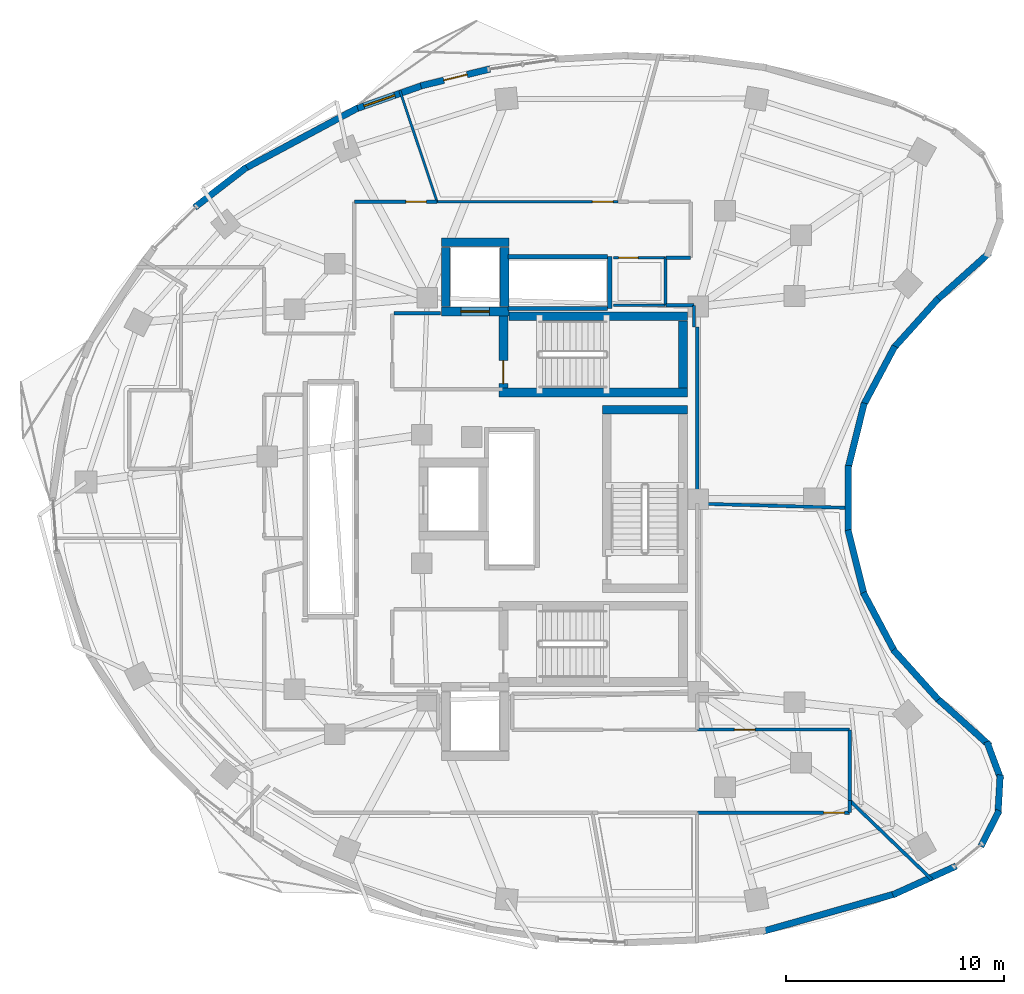
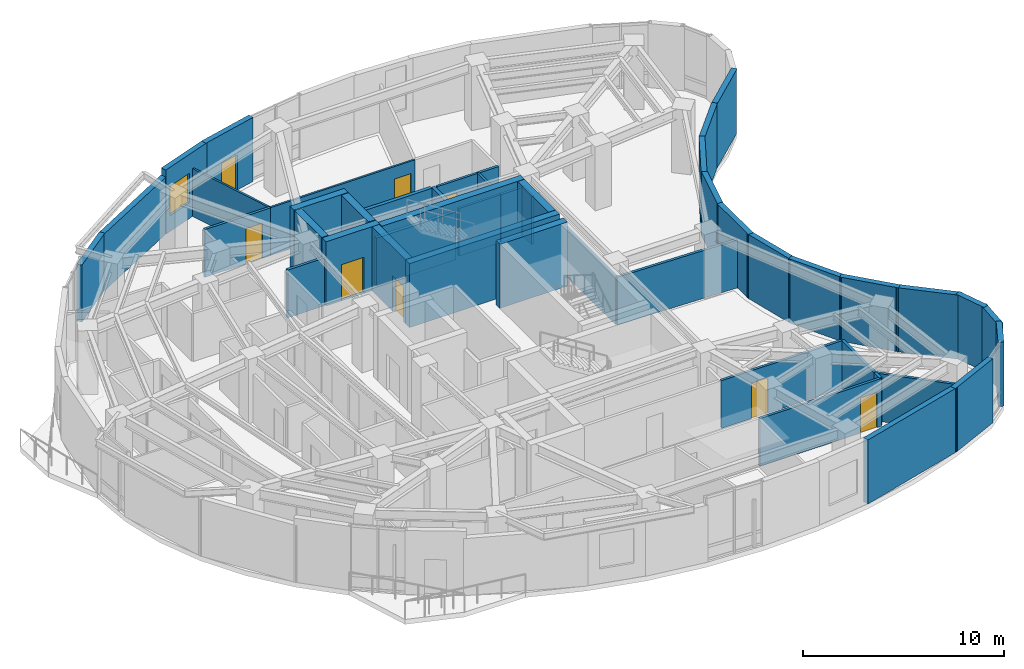
# One storey, part 9 of 13: 47 walls, 8 doors, 1 window, 9 openings.
"""IFC4 building model written with IfcOpenShell, lengths in metres."""

from ifc_helpers import new_model, si_unit, direction, frame, frame_2d, origin, place, context, subcontext, project, spatial, rectangle, extrude, material, layer, layer_set, type_object, element, fill, save


model = new_model("IFC4")

# Units and contexts
model_context = context("Model", 3, precision=1e-05, world=origin(), true_north=direction((0.0, 1.0)))
body_context = subcontext(model_context, "Body", "Model", "MODEL_VIEW")
ifc_project = project(units=[si_unit("LENGTHUNIT", "METRE"), si_unit("AREAUNIT", "SQUARE_METRE"), si_unit("VOLUMEUNIT", "CUBIC_METRE"), si_unit("PLANEANGLEUNIT", "RADIAN"), si_unit("MASSUNIT", "GRAM", prefix="KILO")], contexts=[model_context])

# Site, building, storey
site_placement = place(None, origin())
site = spatial("IfcSite", under=ifc_project, at=site_placement, CompositionType="ELEMENT")
building_placement = place(site_placement, origin())
building = spatial("IfcBuilding", under=site, at=building_placement, Name="Korentha Bioscience Tower", CompositionType="ELEMENT")
storey_placement = place(building_placement, frame((0.0, 0.0, 154.199951171875)))
storey = spatial("IfcBuildingStorey", under=building, at=storey_placement, Name="L35", CompositionType="ELEMENT", Elevation=154.199951171875)

# Wall, opening, door
ifc_material_1 = material(Name="Double-Stud Acoustic Gypsum", Category="gypsum")
ifc_layer_1 = layer(ifc_material_1, 0.14990234375, Name="Double-Stud Acoustic Gypsum")
ifc_layer_set_1 = layer_set([ifc_layer_1], Name="Double-Stud Acoustic Gypsum (IW-L150)")
wall_type_1 = type_object("IfcWallType", Name="Acoustic Laboratory Partition Wall 150", PredefinedType="PARTITIONING", material=ifc_layer_set_1)
wall_1_placement = place(storey_placement, frame((37.508056640625, 12.590087890625, 0.0), z_axis=(0.0, 0.0, 1.0), x_axis=(1.0, 0.0, 0.0)))
wall_1 = element("IfcWall", 1, at=wall_1_placement, inside=storey, type_object=wall_type_1, Name="L35 Fluorescence Confocal Microscopy Room 06 Entrance Wall", PredefinedType="PARTITIONING", context=body_context, shape_type="SweptSolid", body=[
    extrude(rectangle(XDim=6.991943359375, YDim=0.14990234375, at=frame_2d((3.49609375, 0.0))), origin(), (0.0, 0.0, 1.0), 2.91015625),
])
opening_1_placement = place(wall_1_placement, frame((5.802001953125, 0.0, 0.0)))
opening_1 = element("IfcOpeningElement", 2, at=opening_1_placement, cuts=wall_1, Name="Opening ID-10L", PredefinedType="OPENING", context=body_context, shape_type="SweptSolid", body=[
    extrude(rectangle(XDim=0.949951171875, YDim=2.14990234375, at=frame_2d((0.47509765625, 1.074951171875))), frame((0.0, 0.08984375, 0.0), z_axis=(0.0, -1.0, 0.0), x_axis=(1.0, 0.0, 0.0)), (0.0, 0.0, 1.0), 0.1796875),
])
ifc_material_2 = material(Name="Phenolic Laminate Timber Core", Category="wood")
door_type_1 = type_object("IfcDoorType", Name="Laboratory Single Leaf Door 950x2150 Left", OperationType="SINGLE_SWING_LEFT", PredefinedType="DOOR", material=ifc_material_2)
door_1_placement = place(opening_1_placement, origin())
door_1 = element("IfcDoor", 3, at=door_1_placement, inside=storey, type_object=door_type_1, Name="L35 Fluorescence Confocal Microscopy Room 06 Door", OperationType="SINGLE_SWING_LEFT", OverallHeight=2.14990234375, OverallWidth=0.949951171875, PredefinedType="DOOR", context=body_context, shape_type="SweptSolid", body=[
    extrude(rectangle(XDim=0.949951171875, YDim=2.14990234375, at=frame_2d((0.47509765625, 1.074951171875))), frame((0.0, 0.02490234375, 0.0), z_axis=(0.0, -1.0, 0.0), x_axis=(1.0, 0.0, 0.0)), (0.0, 0.0, 1.0), 0.050048828125),
])
fill(opening_1, door_1)

wall_2_placement = place(storey_placement, frame((44.5, 16.409912109375, 0.0), z_axis=(0.0, 0.0, 1.0), x_axis=(-1.0, 0.0, 0.0)))
wall_2 = element("IfcWall", 4, at=wall_2_placement, inside=storey, type_object=wall_type_1, Name="L35 Incubator and Bioreactor Suite 07 Entrance Wall", PredefinedType="PARTITIONING", context=body_context, shape_type="SweptSolid", body=[
    extrude(rectangle(XDim=6.991943359375, YDim=0.14990234375, at=frame_2d((3.49609375, 0.0))), origin(), (0.0, 0.0, 1.0), 2.91015625),
])
opening_2_placement = place(wall_2_placement, frame((4.334228515625, 0.0, 0.0)))
opening_2 = element("IfcOpeningElement", 5, at=opening_2_placement, cuts=wall_2, Name="Opening ID-10R", PredefinedType="OPENING", context=body_context, shape_type="SweptSolid", body=[
    extrude(rectangle(XDim=0.949951171875, YDim=2.14990234375, at=frame_2d((0.47509765625, 1.074951171875))), frame((0.0, 0.08984375, 0.0), z_axis=(0.0, -1.0, 0.0), x_axis=(1.0, 0.0, 0.0)), (0.0, 0.0, 1.0), 0.1796875),
])
door_type_2 = type_object("IfcDoorType", Name="Laboratory Single Leaf Door 950x2150 Right", OperationType="SINGLE_SWING_RIGHT", PredefinedType="DOOR", material=ifc_material_2)
door_2_placement = place(opening_2_placement, origin())
door_2 = element("IfcDoor", 6, at=door_2_placement, inside=storey, type_object=door_type_2, Name="L35 Incubator and Bioreactor Suite 07 Door", OperationType="SINGLE_SWING_RIGHT", OverallHeight=2.14990234375, OverallWidth=0.949951171875, PredefinedType="DOOR", context=body_context, shape_type="SweptSolid", body=[
    extrude(rectangle(XDim=0.949951171875, YDim=2.14990234375, at=frame_2d((0.47509765625, 1.074951171875))), frame((0.0, 0.02490234375, 0.0), z_axis=(0.0, -1.0, 0.0), x_axis=(1.0, 0.0, 0.0)), (0.0, 0.0, 1.0), 0.050048828125),
])
fill(opening_2, door_2)

wall_3_placement = place(storey_placement, frame((25.54150390625, 40.659912109375, 0.0), z_axis=(0.0, 0.0, 1.0), x_axis=(-1.0, 0.0, 0.0)))
wall_3 = element("IfcWall", 7, at=wall_3_placement, inside=storey, type_object=wall_type_1, Name="L35 Clinical Advisory Boardroom 10 Entrance Wall", PredefinedType="PARTITIONING", context=body_context, shape_type="SweptSolid", body=[
    extrude(rectangle(XDim=3.79150390625, YDim=0.14990234375, at=frame_2d((1.895751953125, 0.0))), origin(), (0.0, 0.0, 1.0), 2.91015625),
])
opening_3_placement = place(wall_3_placement, frame((0.477783203125, 0.0, 0.0)))
opening_3 = element("IfcOpeningElement", 8, at=opening_3_placement, cuts=wall_3, Name="Opening ID-10L", PredefinedType="OPENING", context=body_context, shape_type="SweptSolid", body=[
    extrude(rectangle(XDim=0.949951171875, YDim=2.14990234375, at=frame_2d((0.47509765625, 1.074951171875))), frame((0.0, 0.08984375, 0.0), z_axis=(0.0, -1.0, 0.0), x_axis=(1.0, 0.0, 0.0)), (0.0, 0.0, 1.0), 0.1796875),
])
door_3_placement = place(opening_3_placement, origin())
door_3 = element("IfcDoor", 9, at=door_3_placement, inside=storey, type_object=door_type_1, Name="L35 Clinical Advisory Boardroom 10 Door", OperationType="SINGLE_SWING_LEFT", OverallHeight=2.14990234375, OverallWidth=0.949951171875, PredefinedType="DOOR", context=body_context, shape_type="SweptSolid", body=[
    extrude(rectangle(XDim=0.949951171875, YDim=2.14990234375, at=frame_2d((0.47509765625, 1.074951171875))), frame((0.0, 0.02490234375, 0.0), z_axis=(0.0, -1.0, 0.0), x_axis=(1.0, 0.0, 0.0)), (0.0, 0.0, 1.0), 0.050048828125),
])
fill(opening_3, door_3)

# Walls
wall_4_placement = place(storey_placement, frame((44.510009765625, 12.60009765625, 0.0), z_axis=(0.0, 0.0, 1.0), x_axis=(0.0, 1.0, 0.0)))
element("IfcWall", 10, at=wall_4_placement, inside=storey, type_object=wall_type_1, Name="L35 Interior Partition 045", PredefinedType="PARTITIONING", context=body_context, shape_type="SweptSolid", body=[
    extrude(rectangle(XDim=0.5498046875, YDim=0.14990234375, at=frame_2d((0.27490234375, 0.0))), origin(), (0.0, 0.0, 1.0), 2.91015625),
])
wall_5_placement = place(storey_placement, frame((44.510009765625, 13.14990234375, 0.0), z_axis=(0.0, 0.0, 1.0), x_axis=(0.720549773239, -0.69340321912, 0.0)))
element("IfcWall", 11, at=wall_5_placement, inside=storey, type_object=wall_type_1, Name="L35 Interior Partition 046", PredefinedType="PARTITIONING", context=body_context, shape_type="SweptSolid", body=[
    extrude(rectangle(XDim=5.234130859375, YDim=0.14990234375, at=frame_2d((2.6171875, 0.0))), origin(), (0.0, 0.0, 1.0), 2.91015625),
])
wall_6_placement = place(storey_placement, frame((37.502197265625, 26.791748046875, 0.0), z_axis=(0.0, 0.0, 1.0), x_axis=(0.999610026888, -0.027924794459, 0.0)))
element("IfcWall", 12, at=wall_6_placement, inside=storey, type_object=wall_type_1, Name="L35 Interior Partition 047", PredefinedType="PARTITIONING", context=body_context, shape_type="SweptSolid", body=[
    extrude(rectangle(XDim=7.0029296875, YDim=0.14990234375, at=frame_2d((3.50146484375, 0.0))), origin(), (0.0, 0.0, 1.0), 2.91015625),
])
wall_7_placement = place(storey_placement, frame((44.510009765625, 13.159912109375, 0.0), z_axis=(0.0, 0.0, 1.0), x_axis=(0.0, 1.0, 0.0)))
element("IfcWall", 13, at=wall_7_placement, inside=storey, type_object=wall_type_1, Name="L35 Interior Partition 048", PredefinedType="PARTITIONING", context=body_context, shape_type="SweptSolid", body=[
    extrude(rectangle(XDim=3.239990234375, YDim=0.14990234375, at=frame_2d((1.6201171875, 0.0))), origin(), (0.0, 0.0, 1.0), 2.91015625),
])
wall_8_placement = place(storey_placement, frame((37.501953125, 26.8017578125, 0.0), z_axis=(0.0, 0.0, 1.0), x_axis=(0.0, 1.0, 0.0)))
element("IfcWall", 14, at=wall_8_placement, inside=storey, type_object=wall_type_1, Name="L35 Interior Partition 054", PredefinedType="PARTITIONING", context=body_context, shape_type="SweptSolid", body=[
    extrude(rectangle(XDim=8.106689453125, YDim=0.14990234375, at=frame_2d((4.05322265625, 0.0))), origin(), (0.0, 0.0, 1.0), 2.91015625),
])
wall_9_placement = place(storey_placement, frame((37.360107421875, 34.908447265625, 0.0), z_axis=(0.0, 0.0, 1.0), x_axis=(0.0, 1.0, 0.0)))
element("IfcWall", 15, at=wall_9_placement, inside=storey, type_object=wall_type_1, Name="L35 Interior Partition 055", PredefinedType="PARTITIONING", context=body_context, shape_type="SweptSolid", body=[
    extrude(rectangle(XDim=0.991455078125, YDim=0.14990234375, at=frame_2d((0.49560546875, 0.0))), origin(), (0.0, 0.0, 1.0), 2.91015625),
])
wall_10_placement = place(storey_placement, frame((37.35009765625, 35.909912109375, 0.0), z_axis=(0.0, 0.0, 1.0), x_axis=(-1.0, 0.0, 0.0)))
element("IfcWall", 16, at=wall_10_placement, inside=storey, type_object=wall_type_1, Name="L35 Interior Partition 056", PredefinedType="PARTITIONING", context=body_context, shape_type="SweptSolid", body=[
    extrude(rectangle(XDim=1.2900390625, YDim=0.14990234375, at=frame_2d((0.64501953125, 0.0))), origin(), (0.0, 0.0, 1.0), 2.91015625),
])
wall_11_placement = place(storey_placement, frame((36.06005859375, 38.090087890625, 0.0), z_axis=(0.0, 0.0, 1.0), x_axis=(1.0, 0.0, 0.0)))
element("IfcWall", 17, at=wall_11_placement, inside=storey, type_object=wall_type_1, Name="L35 Interior Partition 057", PredefinedType="PARTITIONING", context=body_context, shape_type="SweptSolid", body=[
    extrude(rectangle(XDim=1.139892578125, YDim=0.14990234375, at=frame_2d((0.56982421875, 0.0))), origin(), (0.0, 0.0, 1.0), 2.91015625),
])

# Wall, opening, door
ifc_material_3 = material(Name="Fire-Rated Framed Glass", Category="glass")
ifc_layer_2 = layer(ifc_material_3, 0.110107421875, Name="Fire-Rated Framed Glass")
ifc_layer_set_2 = layer_set([ifc_layer_2], Name="Fire-Rated Framed Glass (IW-G110)")
wall_type_2 = type_object("IfcWallType", Name="Demountable Glazed Office Partition 110", PredefinedType="MOVABLE", material=ifc_layer_set_2)
wall_12_placement = place(storey_placement, frame((33.875, 40.659912109375, 0.0), z_axis=(0.0, 0.0, 1.0), x_axis=(-1.0, 0.0, 0.0)))
wall_12 = element("IfcWall", 18, at=wall_12_placement, inside=storey, type_object=wall_type_2, Name="L35 Biostatistics Research Office 09 Entrance Wall", PredefinedType="MOVABLE", context=body_context, shape_type="SweptSolid", body=[
    extrude(rectangle(XDim=8.322998046875, YDim=0.110107421875, at=frame_2d((4.16162109375, 0.0))), origin(), (0.0, 0.0, 1.0), 2.91015625),
])
opening_4_placement = place(wall_12_placement, frame((0.239990234375, 0.0, 0.0)))
opening_4 = element("IfcOpeningElement", 19, at=opening_4_placement, cuts=wall_12, Name="Opening ID-10R", PredefinedType="OPENING", context=body_context, shape_type="SweptSolid", body=[
    extrude(rectangle(XDim=0.949951171875, YDim=2.14990234375, at=frame_2d((0.47509765625, 1.074951171875))), frame((0.0, 0.06982421875, 0.0), z_axis=(0.0, -1.0, 0.0), x_axis=(1.0, 0.0, 0.0)), (0.0, 0.0, 1.0), 0.139892578125),
])
door_4_placement = place(opening_4_placement, origin())
door_4 = element("IfcDoor", 20, at=door_4_placement, inside=storey, type_object=door_type_2, Name="L35 Biostatistics Research Office 09 Door", OperationType="SINGLE_SWING_RIGHT", OverallHeight=2.14990234375, OverallWidth=0.949951171875, PredefinedType="DOOR", context=body_context, shape_type="SweptSolid", body=[
    extrude(rectangle(XDim=0.949951171875, YDim=2.14990234375, at=frame_2d((0.47509765625, 1.074951171875))), frame((0.0, 0.02490234375, 0.0), z_axis=(0.0, -1.0, 0.0), x_axis=(1.0, 0.0, 0.0)), (0.0, 0.0, 1.0), 0.050048828125),
])
fill(opening_4, door_4)

# Walls
wall_13_placement = place(storey_placement, frame((25.552001953125, 40.659912109375, 0.0), z_axis=(0.0, 0.0, 1.0), x_axis=(-0.317298174949, 0.948325823847, 0.0)))
element("IfcWall", 21, at=wall_13_placement, inside=storey, type_object=wall_type_2, Name="L35 Interior Partition 060", PredefinedType="MOVABLE", context=body_context, shape_type="SweptSolid", body=[
    extrude(rectangle(XDim=5.404541015625, YDim=0.110107421875, at=frame_2d((2.7021484375, 0.0))), origin(), (0.0, 0.0, 1.0), 2.91015625),
])
ifc_material_4 = material(Name="Gypsum-Clad Steel Stud", Category="steel")
ifc_layer_3 = layer(ifc_material_4, 0.159912109375, Name="Gypsum-Clad Steel Stud")
ifc_layer_set_3 = layer_set([ifc_layer_3], Name="Gypsum-Clad Steel Stud (IW-C160)")
wall_type_3 = type_object("IfcWallType", Name="Fire-Rated Corridor Partition Wall 160", PredefinedType="PARTITIONING", material=ifc_layer_set_3)
wall_14_placement = place(storey_placement, frame((23.580078125, 35.550048828125, 0.0), z_axis=(0.0, 0.0, 1.0), x_axis=(1.0, 0.0, 0.0)))
element("IfcWall", 22, at=wall_14_placement, inside=storey, type_object=wall_type_3, Name="L35 Firefighting Lobby Return Wall FFLN-N", PredefinedType="PARTITIONING", context=body_context, shape_type="SweptSolid", body=[
    extrude(rectangle(XDim=2.119873046875, YDim=0.159912109375, at=frame_2d((1.06005859375, 0.0))), origin(), (0.0, 0.0, 1.0), 2.91015625),
])

# Wall, opening, door
ifc_material_5 = material(Name="Honed Limestone Precast Concrete C40", Category="masonry")
ifc_layer_4 = layer(ifc_material_5, 0.300048828125, Name="Honed Limestone Precast Concrete C40")
ifc_layer_set_4 = layer_set([ifc_layer_4], Name="Honed Limestone Precast Concrete C40 (EW-ST300)")
wall_type_4 = type_object("IfcWallType", Name="Honed Limestone Cavity Spandrel Wall 300", PredefinedType="STANDARD", material=ifc_layer_set_4)
wall_15_placement = place(storey_placement, frame((27.981689453125, 46.76171875, 0.0), z_axis=(0.0, 0.0, 1.0), x_axis=(-0.971312804689, -0.237805457142, 0.0)))
wall_15 = element("IfcWall", 23, at=wall_15_placement, inside=storey, type_object=wall_type_4, Name="L35 Balcony Threshold Wall 01", PredefinedType="STANDARD", context=body_context, shape_type="SweptSolid", body=[
    extrude(rectangle(XDim=3.268798828125, YDim=0.300048828125, at=frame_2d((1.63427734375, 0.0))), origin(), (0.0, 0.0, 1.0), 3.900146484375),
])
opening_5_placement = place(wall_15_placement, frame((1.08447265625, 0.0, 0.0)))
opening_5 = element("IfcOpeningElement", 24, at=opening_5_placement, cuts=wall_15, Name="Opening BD-11L", PredefinedType="OPENING", context=body_context, shape_type="SweptSolid", body=[
    extrude(rectangle(XDim=1.10009765625, YDim=2.14990234375, at=frame_2d((0.550048828125, 1.074951171875))), frame((0.0, 0.1650390625, 0.0), z_axis=(0.0, -1.0, 0.0), x_axis=(1.0, 0.0, 0.0)), (0.0, 0.0, 1.0), 0.329833984375),
])
ifc_material_6 = material(Name="Thermally Broken Glazed Aluminium", Category="aluminium")
door_type_3 = type_object("IfcDoorType", Name="Balcony Terrace Glazed Door 1100x2150 Left", OperationType="SINGLE_SWING_LEFT", PredefinedType="DOOR", material=ifc_material_6)
door_5_placement = place(opening_5_placement, origin())
door_5 = element("IfcDoor", 25, at=door_5_placement, inside=storey, type_object=door_type_3, Name="L35 Balcony Access Door 01", OperationType="SINGLE_SWING_LEFT", OverallHeight=2.14990234375, OverallWidth=1.10009765625, PredefinedType="DOOR", context=body_context, shape_type="SweptSolid", body=[
    extrude(rectangle(XDim=1.10009765625, YDim=2.14990234375, at=frame_2d((0.550048828125, 1.074951171875))), frame((0.0, 0.02490234375, 0.0), z_axis=(0.0, -1.0, 0.0), x_axis=(1.0, 0.0, 0.0)), (0.0, 0.0, 1.0), 0.050048828125),
])
fill(opening_5, door_5)

# Wall, opening, window
wall_16_placement = place(storey_placement, frame((24.9365234375, 46.02294921875, 0.0), z_axis=(0.0, 0.0, 1.0), x_axis=(-0.943495444321, -0.331385495377, 0.0)))
wall_16 = element("IfcWall", 26, at=wall_16_placement, inside=storey, type_object=wall_type_4, Name="L35 Honed Limestone Spandrel Wall 09", PredefinedType="STANDARD", context=body_context, shape_type="SweptSolid", body=[
    extrude(rectangle(XDim=3.21435546875, YDim=0.300048828125, at=frame_2d((1.607177734375, 0.0))), origin(), (0.0, 0.0, 1.0), 3.900146484375),
])
opening_6_placement = place(wall_16_placement, frame((1.40966796875, 0.0, 0.949951171875)))
opening_6 = element("IfcOpeningElement", 27, at=opening_6_placement, cuts=wall_16, Name="Opening WN-02", PredefinedType="OPENING", context=body_context, shape_type="SweptSolid", body=[
    extrude(rectangle(XDim=1.5, YDim=1.800048828125, at=frame_2d((0.75, 0.89990234375))), frame((0.0, 0.1650390625, 0.0), z_axis=(0.0, -1.0, 0.0), x_axis=(1.0, 0.0, 0.0)), (0.0, 0.0, 1.0), 0.329833984375),
])
ifc_material_7 = material(Name="Thermally Broken Aluminium Triple Glazing", Category="aluminium")
window_type = type_object("IfcWindowType", Name="Acoustic Operable Office Window 1500x1800", PartitioningType="DOUBLE_PANEL_VERTICAL", PredefinedType="WINDOW", material=ifc_material_7)
window_placement = place(opening_6_placement, origin())
window = element("IfcWindow", 28, at=window_placement, inside=storey, type_object=window_type, Name="L35 Facade Window 09", OverallHeight=1.800048828125, OverallWidth=1.5, PartitioningType="DOUBLE_PANEL_VERTICAL", PredefinedType="WINDOW", context=body_context, shape_type="SweptSolid", body=[
    extrude(rectangle(XDim=1.5, YDim=1.800048828125, at=frame_2d((0.75, 0.89990234375))), frame((0.0, 0.030029296875, 0.0), z_axis=(0.0, -1.0, 0.0), x_axis=(1.0, 0.0, 0.0)), (0.0, 0.0, 1.0), 0.06005859375),
])
fill(opening_6, window)

# Walls
wall_17_placement = place(storey_placement, frame((22.044189453125, 45.043212890625, 0.0), z_axis=(0.0, 0.0, 1.0), x_axis=(-0.881364369565, -0.472437136624, 0.0)))
element("IfcWall", 29, at=wall_17_placement, inside=storey, type_object=wall_type_4, Name="L35 Limestone Perimeter Closure Wall 10", PredefinedType="STANDARD", context=body_context, shape_type="SweptSolid", body=[
    extrude(rectangle(XDim=6.123779296875, YDim=0.300048828125, at=frame_2d((3.06201171875, 0.0))), origin(), (0.0, 0.0, 1.0), 3.469970703125),
])
wall_18_placement = place(storey_placement, frame((16.80029296875, 42.249755859375, 0.0), z_axis=(0.0, 0.0, 1.0), x_axis=(-0.790530517055, -0.612422649488, 0.0)))
element("IfcWall", 30, at=wall_18_placement, inside=storey, type_object=wall_type_4, Name="L35 Limestone Perimeter Closure Wall 12", PredefinedType="STANDARD", context=body_context, shape_type="SweptSolid", body=[
    extrude(rectangle(XDim=3.019775390625, YDim=0.300048828125, at=frame_2d((1.509765625, 0.0))), origin(), (0.0, 0.0, 1.0), 3.469970703125),
])
wall_19_placement = place(storey_placement, frame((40.4931640625, 7.13427734375, 0.0), z_axis=(0.0, 0.0, 1.0), x_axis=(0.962163849422, 0.272471515694, 0.0)))
element("IfcWall", 31, at=wall_19_placement, inside=storey, type_object=wall_type_4, Name="L35 Limestone Perimeter Closure Wall 34", PredefinedType="STANDARD", context=body_context, shape_type="SweptSolid", body=[
    extrude(rectangle(XDim=6.4091796875, YDim=0.300048828125, at=frame_2d((3.20458984375, 0.0))), origin(), (0.0, 0.0, 1.0), 3.900146484375),
])
wall_20_placement = place(storey_placement, frame((46.490478515625, 8.818359375, 0.0), z_axis=(0.0, 0.0, 1.0), x_axis=(0.910633193525, 0.413215666268, 0.0)))
element("IfcWall", 32, at=wall_20_placement, inside=storey, type_object=wall_type_4, Name="L35 Limestone Perimeter Closure Wall 36", PredefinedType="STANDARD", context=body_context, shape_type="SweptSolid", body=[
    extrude(rectangle(XDim=3.1953125, YDim=0.300048828125, at=frame_2d((1.59765625, 0.0))), origin(), (0.0, 0.0, 1.0), 3.900146484375),
])
for number, where, z_axis, x_axis, name in (
    (33, (50.533935546875, 11.041259765625, 0.0), (0.0, 0.0, 1.0), (0.454214122486, 0.890892547356, 0.0), "L35 Limestone Perimeter Closure Wall 38"),
    (34, (51.319091796875, 12.484375, 0.0), (0.0, 0.0, 1.0), (0.057485341891, 0.998346350455, 0.0), "L35 Limestone Perimeter Closure Wall 39"),
    (35, (51.45751953125, 14.121337890625, 0.0), (0.0, 0.0, 1.0), (-0.348984166898, 0.937128620443, 0.0), "L35 Limestone Perimeter Closure Wall 40"),
):
    element("IfcWall", number, at=place(storey_placement, frame(where, z_axis=z_axis, x_axis=x_axis)), inside=storey, type_object=wall_type_4, Name=name, PredefinedType="STANDARD", context=body_context, shape_type="SweptSolid", body=[
        extrude(rectangle(XDim=1.851806640625, YDim=0.300048828125, at=frame_2d((0.92578125, 0.0))), origin(), (0.0, 0.0, 1.0), 3.900146484375),
    ])
wall_21_placement = place(storey_placement, frame((50.936279296875, 15.6728515625, 0.0), z_axis=(0.0, 0.0, 1.0), x_axis=(-0.743341827472, 0.668911748687, 0.0)))
element("IfcWall", 36, at=wall_21_placement, inside=storey, type_object=wall_type_4, Name="L35 Limestone Perimeter Closure Wall 41", PredefinedType="STANDARD", context=body_context, shape_type="SweptSolid", body=[
    extrude(rectangle(XDim=3.3095703125, YDim=0.300048828125, at=frame_2d((1.65478515625, 0.0))), origin(), (0.0, 0.0, 1.0), 3.900146484375),
])
for number, where, z_axis, x_axis, name in (
    (37, (48.57861328125, 17.7841796875, 0.0), (0.0, 0.0, 1.0), (-0.669165704933, 0.743113221079, 0.0), "L35 Limestone Perimeter Closure Wall 43"),
    (38, (46.58447265625, 19.975830078125, 0.0), (0.0, 0.0, 1.0), (-0.469471310295, 0.882947727111, 0.0), "L35 Limestone Perimeter Closure Wall 45"),
    (39, (45.179931640625, 22.585205078125, 0.0), (0.0, 0.0, 1.0), (-0.241940068914, 0.970291194979, 0.0), "L35 Limestone Perimeter Closure Wall 47"),
    (40, (44.448486328125, 25.45654296875, 0.0), (0.0, 0.0, 1.0), (0.0, 1.0, 0.0), "L35 Limestone Perimeter Closure Wall 49"),
    (41, (44.43310546875, 28.419677734375, 0.0), (0.0, 0.0, 1.0), (0.241940068914, 0.970291194979, 0.0), "L35 Limestone Perimeter Closure Wall 51"),
    (42, (45.13525390625, 31.298583984375, 0.0), (0.0, 0.0, 1.0), (0.469471310295, 0.882947727111, 0.0), "L35 Limestone Perimeter Closure Wall 53"),
    (43, (46.512939453125, 33.921875, 0.0), (0.0, 0.0, 1.0), (0.669165704933, 0.743113221079, 0.0), "L35 Limestone Perimeter Closure Wall 55"),
):
    element("IfcWall", number, at=place(storey_placement, frame(where, z_axis=z_axis, x_axis=x_axis)), inside=storey, type_object=wall_type_4, Name=name, PredefinedType="STANDARD", context=body_context, shape_type="SweptSolid", body=[
        extrude(rectangle(XDim=3.0869140625, YDim=0.300048828125, at=frame_2d((1.54345703125, 0.0))), origin(), (0.0, 0.0, 1.0), 3.900146484375),
    ])
wall_22_placement = place(storey_placement, frame((48.47607421875, 36.11328125, 0.0), z_axis=(0.0, 0.0, 1.0), x_axis=(0.743341827472, 0.668911748687, 0.0)))
element("IfcWall", 44, at=wall_22_placement, inside=storey, type_object=wall_type_4, Name="L35 Limestone Perimeter Closure Wall 57", PredefinedType="STANDARD", context=body_context, shape_type="SweptSolid", body=[
    extrude(rectangle(XDim=3.3095703125, YDim=0.300048828125, at=frame_2d((1.65478515625, 0.0))), origin(), (0.0, 0.0, 1.0), 3.900146484375),
])
ifc_material_8 = material(Name="Autoclaved Aerated Concrete Block C25", Category="concrete")
ifc_layer_5 = layer(ifc_material_8, 0.199951171875, Name="Autoclaved Aerated Concrete Block C25")
ifc_layer_set_5 = layer_set([ifc_layer_5], Name="Autoclaved Aerated Concrete Block C25 (IW-S200)")
wall_type_5 = type_object("IfcWallType", Name="Lift and Riser Shaft Enclosure Wall 200", PredefinedType="PARTITIONING", material=ifc_layer_set_5)
wall_23_placement = place(storey_placement, frame((33.489990234375, 35.760009765625, 0.0), z_axis=(0.0, 0.0, 1.0), x_axis=(0.0, 1.0, 0.0)))
element("IfcWall", 45, at=wall_23_placement, inside=storey, type_object=wall_type_5, Name="L35 Lift Bank OBS Shaft Wall +X", PredefinedType="PARTITIONING", context=body_context, shape_type="SweptSolid", body=[
    extrude(rectangle(XDim=2.3798828125, YDim=0.199951171875, at=frame_2d((1.18994140625, 0.0))), origin(), (0.0, 0.0, 1.0), 2.91015625),
])
for number, where, z_axis, x_axis, name in (
    (46, (28.800048828125, 35.760009765625, 0.0), (0.0, 0.0, 1.0), (1.0, 0.0, 0.0), "L35 Lift Bank OBS Shaft Wall -Y"),
    (47, (28.800048828125, 38.139892578125, 0.0), (0.0, 0.0, 1.0), (1.0, 0.0, 0.0), "L35 Lift Bank OBS Shaft Wall +Y"),
):
    element("IfcWall", number, at=place(storey_placement, frame(where, z_axis=z_axis, x_axis=x_axis)), inside=storey, type_object=wall_type_5, Name=name, PredefinedType="PARTITIONING", context=body_context, shape_type="SweptSolid", body=[
        extrude(rectangle(XDim=4.570068359375, YDim=0.199951171875, at=frame_2d((2.28515625, 0.0))), origin(), (0.0, 0.0, 1.0), 2.91015625),
    ])
ifc_material_9 = material(Name="Concrete C65", Category="concrete")
ifc_layer_6 = layer(ifc_material_9, 0.39990234375, Name="Concrete C65")
ifc_layer_set_6 = layer_set([ifc_layer_6], Name="Concrete C65 (CW-C65)")
wall_type_6 = type_object("IfcWallType", Name="Mid-Rise Core Shear Wall 400", PredefinedType="SHEAR", material=ifc_layer_set_6)
wall_24_placement = place(storey_placement, frame((28.85205078125, 35.39990234375, 0.0), z_axis=(0.0, 0.0, 1.0), x_axis=(1.0, 0.0, 0.0)))
element("IfcWall", 48, at=wall_24_placement, inside=storey, type_object=wall_type_6, Name="L35 Core Shear Wall ST1-N", PredefinedType="SHEAR", context=body_context, shape_type="SweptSolid", body=[
    extrude(rectangle(XDim=8.197998046875, YDim=0.39990234375, at=frame_2d((4.09912109375, 0.0))), origin(), (0.0, 0.0, 1.0), 3.900146484375),
])
wall_25_placement = place(storey_placement, frame((28.39990234375, 31.89990234375, 0.0), z_axis=(0.0, 0.0, 1.0), x_axis=(1.0, 0.0, 0.0)))
element("IfcWall", 49, at=wall_25_placement, inside=storey, type_object=wall_type_6, Name="L35 Core Shear Wall ST1-S", PredefinedType="SHEAR", context=body_context, shape_type="SweptSolid", body=[
    extrude(rectangle(XDim=8.650146484375, YDim=0.39990234375, at=frame_2d((4.3251953125, 0.0))), origin(), (0.0, 0.0, 1.0), 3.900146484375),
])
wall_26_placement = place(storey_placement, frame((36.85009765625, 32.110107421875, 0.0), z_axis=(0.0, 0.0, 1.0), x_axis=(0.0, 1.0, 0.0)))
element("IfcWall", 50, at=wall_26_placement, inside=storey, type_object=wall_type_6, Name="L35 Core Shear Wall ST1-E", PredefinedType="SHEAR", context=body_context, shape_type="SweptSolid", body=[
    extrude(rectangle(XDim=3.079833984375, YDim=0.39990234375, at=frame_2d((1.5400390625, 0.0))), origin(), (0.0, 0.0, 1.0), 3.900146484375),
])

# Wall, opening, door
wall_27_placement = place(storey_placement, frame((28.60009765625, 32.110107421875, 0.0), z_axis=(0.0, 0.0, 1.0), x_axis=(0.0, 1.0, 0.0)))
wall_27 = element("IfcWall", 51, at=wall_27_placement, inside=storey, type_object=wall_type_6, Name="L35 Core Shear Wall ST1-W", PredefinedType="SHEAR", context=body_context, shape_type="SweptSolid", body=[
    extrude(rectangle(XDim=3.307861328125, YDim=0.39990234375, at=frame_2d((1.65380859375, 0.0))), origin(), (0.0, 0.0, 1.0), 3.900146484375),
])
opening_7_placement = place(wall_27_placement, frame((0.199951171875, 0.0, 0.0)))
opening_7 = element("IfcOpeningElement", 52, at=opening_7_placement, cuts=wall_27, Name="Opening FD-90R", PredefinedType="OPENING", context=body_context, shape_type="SweptSolid", body=[
    extrude(rectangle(XDim=1.050048828125, YDim=2.14990234375, at=frame_2d((0.52490234375, 1.074951171875))), frame((0.0, 0.21484375, 0.0), z_axis=(0.0, -1.0, 0.0), x_axis=(1.0, 0.0, 0.0)), (0.0, 0.0, 1.0), 0.4296875),
])
ifc_material_10 = material(Name="Powder-Coated Fire-Rated Steel", Category="steel")
door_type_4 = type_object("IfcDoorType", Name="Stairwell Fire Exit Door 1050x2150 Right", OperationType="SINGLE_SWING_RIGHT", PredefinedType="DOOR", material=ifc_material_10)
door_6_placement = place(opening_7_placement, origin())
door_6 = element("IfcDoor", 53, at=door_6_placement, inside=storey, type_object=door_type_4, Name="L35 ST-1 Fire Exit Stair Door", OperationType="SINGLE_SWING_RIGHT", OverallHeight=2.14990234375, OverallWidth=1.050048828125, PredefinedType="DOOR", context=body_context, shape_type="SweptSolid", body=[
    extrude(rectangle(XDim=1.050048828125, YDim=2.14990234375, at=frame_2d((0.52490234375, 1.074951171875))), frame((0.0, 0.02490234375, 0.0), z_axis=(0.0, -1.0, 0.0), x_axis=(1.0, 0.0, 0.0)), (0.0, 0.0, 1.0), 0.050048828125),
])
fill(opening_7, door_6)

# Walls
wall_28_placement = place(storey_placement, frame((33.14990234375, 31.10009765625, 0.0), z_axis=(0.0, 0.0, 1.0), x_axis=(1.0, 0.0, 0.0)))
element("IfcWall", 54, at=wall_28_placement, inside=storey, type_object=wall_type_6, Name="L35 Core Shear Wall ST3-N", PredefinedType="SHEAR", context=body_context, shape_type="SweptSolid", body=[
    extrude(rectangle(XDim=3.900146484375, YDim=0.39990234375, at=frame_2d((1.9501953125, 0.0))), origin(), (0.0, 0.0, 1.0), 3.900146484375),
])
wall_29_placement = place(storey_placement, frame((25.75, 38.800048828125, 0.0), z_axis=(0.0, 0.0, 1.0), x_axis=(1.0, 0.0, 0.0)))
element("IfcWall", 55, at=wall_29_placement, inside=storey, type_object=wall_type_6, Name="L35 Core Shear Wall FFL2-N", PredefinedType="SHEAR", context=body_context, shape_type="SweptSolid", body=[
    extrude(rectangle(XDim=3.10009765625, YDim=0.39990234375, at=frame_2d((1.550048828125, 0.0))), origin(), (0.0, 0.0, 1.0), 3.900146484375),
])

# Wall, opening, door
wall_30_placement = place(storey_placement, frame((25.75, 35.6201171875, 0.0), z_axis=(0.0, 0.0, 1.0), x_axis=(1.0, 0.0, 0.0)))
wall_30 = element("IfcWall", 56, at=wall_30_placement, inside=storey, type_object=wall_type_6, Name="L35 Core Shear Wall FFL2-S", PredefinedType="SHEAR", context=body_context, shape_type="SweptSolid", body=[
    extrude(rectangle(XDim=3.10009765625, YDim=0.39990234375, at=frame_2d((1.550048828125, 0.0))), origin(), (0.0, 0.0, 1.0), 3.900146484375),
])
opening_8_placement = place(wall_30_placement, frame((0.89990234375, 0.0, 0.0)))
opening_8 = element("IfcOpeningElement", 57, at=opening_8_placement, cuts=wall_30, Name="Opening LD-13", PredefinedType="OPENING", context=body_context, shape_type="SweptSolid", body=[
    extrude(rectangle(XDim=1.300048828125, YDim=2.199951171875, at=frame_2d((0.64990234375, 1.10009765625))), frame((0.0, 0.21484375, 0.0), z_axis=(0.0, -1.0, 0.0), x_axis=(1.0, 0.0, 0.0)), (0.0, 0.0, 1.0), 0.4296875),
])
ifc_material_11 = material(Name="Brushed Stainless Steel 316", Category="steel")
door_type_5 = type_object("IfcDoorType", Name="Service & Firefighting Lift Landing Door 1300x2300", OperationType="DOUBLE_DOOR_SLIDING", PredefinedType="DOOR", material=ifc_material_11)
door_7_placement = place(opening_8_placement, origin())
door_7 = element("IfcDoor", 58, at=door_7_placement, inside=storey, type_object=door_type_5, Name="L35 FFL-2 Sliding Lift Landing Door", OperationType="DOUBLE_DOOR_SLIDING", OverallHeight=2.199951171875, OverallWidth=1.300048828125, PredefinedType="DOOR", context=body_context, shape_type="SweptSolid", body=[
    extrude(rectangle(XDim=1.300048828125, YDim=2.199951171875, at=frame_2d((0.64990234375, 1.10009765625))), frame((0.0, 0.02490234375, 0.0), z_axis=(0.0, -1.0, 0.0), x_axis=(1.0, 0.0, 0.0)), (0.0, 0.0, 1.0), 0.050048828125),
])
fill(opening_8, door_7)

# Walls
for number, where, z_axis, x_axis, name in (
    (59, (25.949951171875, 35.860107421875, 0.0), (0.0, 0.0, 1.0), (0.0, 1.0, 0.0), "L35 Core Shear Wall FFL2-W"),
    (60, (28.64990234375, 35.860107421875, 0.0), (0.0, 0.0, 1.0), (0.0, 1.0, 0.0), "L35 Core Shear Wall FFL2-E"),
):
    element("IfcWall", number, at=place(storey_placement, frame(where, z_axis=z_axis, x_axis=x_axis)), inside=storey, type_object=wall_type_6, Name=name, PredefinedType="SHEAR", context=body_context, shape_type="SweptSolid", body=[
        extrude(rectangle(XDim=2.699951171875, YDim=0.39990234375, at=frame_2d((1.35009765625, 0.0))), origin(), (0.0, 0.0, 1.0), 3.900146484375),
    ])

# Wall, opening, door
ifc_material_12 = material(Name="Cement-Board Steel Stud", Category="steel")
ifc_layer_7 = layer(ifc_material_12, 0.1298828125, Name="Cement-Board Steel Stud")
ifc_layer_set_7 = layer_set([ifc_layer_7], Name="Cement-Board Steel Stud (IW-W130)")
wall_type_7 = type_object("IfcWallType", Name="Wet-Area Moisture-Resistant Partition 130", PredefinedType="PARTITIONING", material=ifc_layer_set_7)
wall_31_placement = place(storey_placement, frame((33.64990234375, 38.090087890625, 0.0), z_axis=(0.0, 0.0, 1.0), x_axis=(1.0, 0.0, 0.0)))
wall_31 = element("IfcWall", 61, at=wall_31_placement, inside=storey, type_object=wall_type_7, Name="L35 Accessible Staff WC Entrance Wall", PredefinedType="PARTITIONING", context=body_context, shape_type="SweptSolid", body=[
    extrude(rectangle(XDim=2.400146484375, YDim=0.1298828125, at=frame_2d((1.2001953125, 0.0))), origin(), (0.0, 0.0, 1.0), 2.91015625),
])
opening_9_placement = place(wall_31_placement, frame((0.239990234375, 0.0, 0.0)))
opening_9 = element("IfcOpeningElement", 62, at=opening_9_placement, cuts=wall_31, Name="Opening ID-09R", PredefinedType="OPENING", context=body_context, shape_type="SweptSolid", body=[
    extrude(rectangle(XDim=0.89990234375, YDim=2.14990234375, at=frame_2d((0.449951171875, 1.074951171875))), frame((0.0, 0.079833984375, 0.0), z_axis=(0.0, -1.0, 0.0), x_axis=(1.0, 0.0, 0.0)), (0.0, 0.0, 1.0), 0.15966796875),
])
ifc_material_13 = material(Name="Moisture-Resistant HPL Leaf", Category="wood")
door_type_6 = type_object("IfcDoorType", Name="Restroom & Accessible WC Door 900x2150 Right", OperationType="SINGLE_SWING_RIGHT", PredefinedType="DOOR", material=ifc_material_13)
door_8_placement = place(opening_9_placement, origin())
door_8 = element("IfcDoor", 63, at=door_8_placement, inside=storey, type_object=door_type_6, Name="L35 Accessible Staff WC Door", OperationType="SINGLE_SWING_RIGHT", OverallHeight=2.14990234375, OverallWidth=0.89990234375, PredefinedType="DOOR", context=body_context, shape_type="SweptSolid", body=[
    extrude(rectangle(XDim=0.89990234375, YDim=2.14990234375, at=frame_2d((0.449951171875, 1.074951171875))), frame((0.0, 0.02490234375, 0.0), z_axis=(0.0, -1.0, 0.0), x_axis=(1.0, 0.0, 0.0)), (0.0, 0.0, 1.0), 0.050048828125),
])
fill(opening_9, door_8)

# Walls
wall_32_placement = place(storey_placement, frame((36.050048828125, 35.909912109375, 0.0), z_axis=(0.0, 0.0, 1.0), x_axis=(-1.0, 0.0, 0.0)))
element("IfcWall", 64, at=wall_32_placement, inside=storey, type_object=wall_type_7, Name="L35 Interior Partition 015", PredefinedType="PARTITIONING", context=body_context, shape_type="SweptSolid", body=[
    extrude(rectangle(XDim=2.400146484375, YDim=0.1298828125, at=frame_2d((1.2001953125, 0.0))), origin(), (0.0, 0.0, 1.0), 2.91015625),
])
wall_33_placement = place(storey_placement, frame((36.050048828125, 38.090087890625, 0.0), z_axis=(0.0, 0.0, 1.0), x_axis=(0.0, -1.0, 0.0)))
element("IfcWall", 65, at=wall_33_placement, inside=storey, type_object=wall_type_7, Name="L35 Interior Partition 016", PredefinedType="PARTITIONING", context=body_context, shape_type="SweptSolid", body=[
    extrude(rectangle(XDim=2.18017578125, YDim=0.1298828125, at=frame_2d((1.090087890625, 0.0))), origin(), (0.0, 0.0, 1.0), 2.91015625),
])

save(model, "model.ifc")
